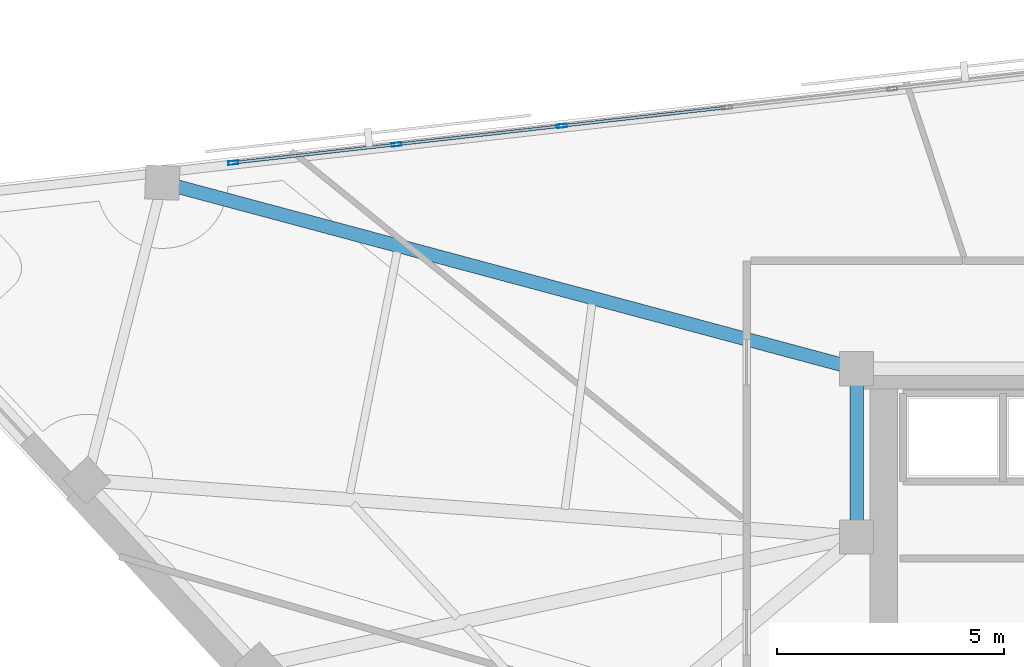
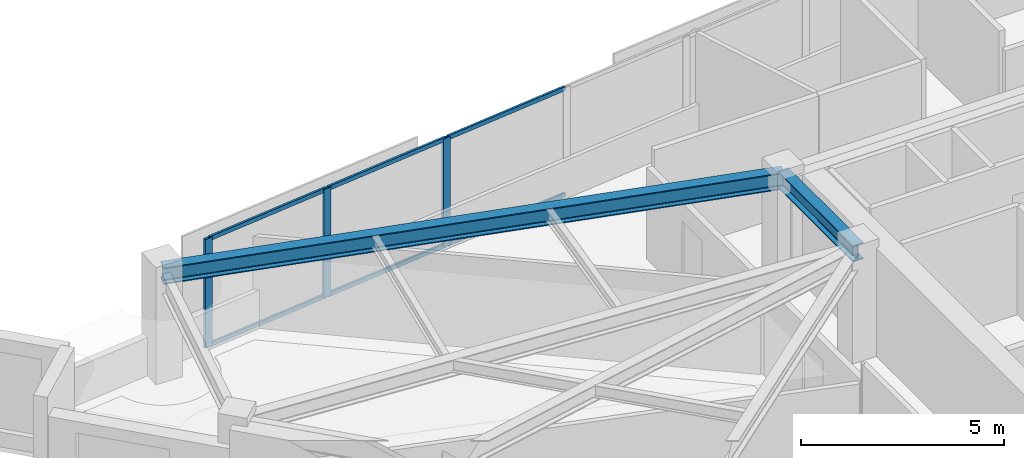
# One storey, part 2 of 13: 9 members, 2 beams, 1 element without a shape of its own.
"""IFC4 building model written with IfcOpenShell, lengths in metres."""

import ifcopenshell
import ifcopenshell.guid

model = None  # the IFC model being written
_history = None  # IfcOwnerHistory: only IFC2X3 demands one
_inside = {}  # id of a spatial element -> (the spatial element, [elements in it])
_under = {}  # id of a project, library or spatial element -> (it, [spatial elements below it])
_declared = {}  # id of a project -> (the project, [libraries it declares])
_typed = {}  # id of a type object -> (the type object, [elements of that type])
_made_of = {}  # id of a material, layer set ... -> (it, [elements and type objects made of it])


def new_model(schema):
    """Start an empty IFC model of exactly this schema.

    Asked for "IFC4X3", IfcOpenShell would pick the latest addendum, in which some entities
    have other attributes; the version numbers below select the first issue.
    IFC2X3 requires an IfcOwnerHistory on every rooted entity: one is made here for all.
    """
    global model, _history
    if schema == "IFC4X3":
        model = ifcopenshell.file(schema_version=(4, 3, 0, 0))
    else:
        model = ifcopenshell.file(schema=schema)
    _inside.clear()
    _under.clear()
    _declared.clear()
    _typed.clear()
    _made_of.clear()
    _history = None
    if model.schema == "IFC2X3":
        org = make("IfcOrganization", Name="unknown")
        user = make(
            "IfcPersonAndOrganization",
            ThePerson=make("IfcPerson", FamilyName="unknown"),
            TheOrganization=org,
        )
        app = make(
            "IfcApplication",
            ApplicationDeveloper=org,
            Version="unknown",
            ApplicationFullName="unknown",
            ApplicationIdentifier="unknown",
        )
        _history = make(
            "IfcOwnerHistory",
            OwningUser=user,
            OwningApplication=app,
            ChangeAction="ADDED",
            CreationDate=0,
        )
    return model


def make(cls, **values):
    """One entity of the class cls with the attributes given. An attribute that is None is left unset."""
    return model.create_entity(
        cls, **{name: value for name, value in values.items() if value is not None}
    )


def rooted(cls, **values):
    """An entity with a GlobalId (a new one), such as an element, a storey or a relation."""
    return make(cls, GlobalId=ifcopenshell.guid.new(), OwnerHistory=_history, **values)


def si_unit(unit_type, name, prefix=None):
    """IfcSIUnit, for example si_unit("LENGTHUNIT", "METRE", prefix="MILLI")."""
    return make("IfcSIUnit", UnitType=unit_type, Prefix=prefix, Name=name)


def assignment(units):
    """IfcUnitAssignment: the units of a project."""
    return None if units is None else make("IfcUnitAssignment", Units=units)


def point(xyz):
    """IfcCartesianPoint."""
    return None if xyz is None else make("IfcCartesianPoint", Coordinates=xyz)


def direction(xyz):
    """IfcDirection."""
    return None if xyz is None else make("IfcDirection", DirectionRatios=xyz)


def frame(location, z_axis=None, x_axis=None):
    """IfcAxis2Placement3D, a coordinate frame: its origin and axes. An axis left out is left unset."""
    return make(
        "IfcAxis2Placement3D",
        Location=point(location),
        Axis=direction(z_axis),
        RefDirection=direction(x_axis),
    )


def frame_2d(location, x_axis=None):
    """IfcAxis2Placement2D, a coordinate frame in the plane: its origin and x axis."""
    return make(
        "IfcAxis2Placement2D", Location=point(location), RefDirection=direction(x_axis)
    )


def origin():
    """The frame at (0, 0, 0) with its axes left unset."""
    return frame((0.0, 0.0, 0.0))


def origin_2d():
    """The frame at (0, 0) in the plane with its x axis left unset."""
    return frame_2d((0.0, 0.0))


def place(relative_to, where):
    """IfcLocalPlacement: puts the frame where relative to a parent placement (None: the world)."""
    return make(
        "IfcLocalPlacement", PlacementRelTo=relative_to, RelativePlacement=where
    )


def context(
    kind, dimensions, precision=None, world=None, true_north=None, identifier=None
):
    """IfcGeometricRepresentationContext, for example the 3D "Model" context."""
    return make(
        "IfcGeometricRepresentationContext",
        ContextIdentifier=identifier,
        ContextType=kind,
        CoordinateSpaceDimension=dimensions,
        Precision=precision,
        WorldCoordinateSystem=world,
        TrueNorth=true_north,
    )


def subcontext(parent, identifier, kind, view, scale=None):
    """IfcGeometricRepresentationSubContext, for example "Body" below "Model"."""
    return make(
        "IfcGeometricRepresentationSubContext",
        ContextIdentifier=identifier,
        ContextType=kind,
        ParentContext=parent,
        TargetScale=scale,
        TargetView=view,
    )


def project(units=None, contexts=None):
    """IfcProject with its units and contexts."""
    return rooted(
        "IfcProject",
        Name="project",
        RepresentationContexts=contexts,
        UnitsInContext=assignment(units),
    )


def spatial(cls, under=None, at=None, **own):
    """A site, building, storey or space (cls), placed at a placement, below another one or the project."""
    s = rooted(cls, ObjectPlacement=at, **own)
    if under is not None:
        _under.setdefault(under.id(), (under, []))[1].append(s)
    return s


def profile(cls, at=None, kind="AREA", **sizes):
    """A parametric profile (cls). Its sizes go by their IFC names, for example OverallWidth=200.0."""
    return make(cls, ProfileType=kind, Position=at, **sizes)


def hollow_rectangle(**sizes):
    """IfcRectangleHollowProfileDef."""
    return profile("IfcRectangleHollowProfileDef", **sizes)


def i_section(**sizes):
    """IfcIShapeProfileDef."""
    return profile("IfcIShapeProfileDef", **sizes)


def extrude(swept, where, along, depth):
    """IfcExtrudedAreaSolid: the profile swept, set in the frame where, extruded along a direction by depth."""
    return make(
        "IfcExtrudedAreaSolid",
        SweptArea=swept,
        Position=where,
        ExtrudedDirection=direction(along),
        Depth=depth,
    )


def shape(context_of_items, identifier, shape_type, items):
    """IfcShapeRepresentation: the items that make up one representation, for example the "Body"."""
    return make(
        "IfcShapeRepresentation",
        ContextOfItems=context_of_items,
        RepresentationIdentifier=identifier,
        RepresentationType=shape_type,
        Items=items,
    )


def material(Name=None, Category=None):
    """IfcMaterial."""
    return make("IfcMaterial", Name=Name, Category=Category)


def material_profile(
    of_material, cross_section, Name=None, Category=None, Priority=None
):
    """IfcMaterialProfile: a cross section and its material."""
    return make(
        "IfcMaterialProfile",
        Name=Name,
        Material=of_material,
        Profile=cross_section,
        Priority=Priority,
        Category=Category,
    )


def profile_set(profiles, Name=None, composite=None):
    """IfcMaterialProfileSet."""
    return make(
        "IfcMaterialProfileSet",
        Name=Name,
        MaterialProfiles=profiles,
        CompositeProfile=composite,
    )


def made_of(thing, what):
    """Note that an element or type object is made of a material, layer set ...; save() writes the relation."""
    if what is not None:
        _made_of.setdefault(what.id(), (what, []))[1].append(thing)
    return thing


def type_object(cls, material=None, **own):
    """A type object (cls), such as IfcWallType, which elements share."""
    return made_of(rooted(cls, **own), material)


def element(
    cls,
    number,
    at=None,
    inside=None,
    cuts=None,
    type_object=None,
    material=None,
    context=None,
    identifier="Body",
    shape_type=None,
    held_by="IfcProductDefinitionShape",
    body=None,
    shapes=None,
    **own,
):
    """One element of the class cls, such as IfcWall. Its Tag is "e" and its number.

    at: its placement. inside: the storey or other place that contains it. cuts: it is an
    opening in that element (IfcRelVoidsElement). A single representation is given by context,
    identifier, shape_type and body (its items); several are given by shapes. held_by: the class
    of the entity that holds the representations. save() writes the other relations.
    """
    e = rooted(cls, Tag="e%d" % number, ObjectPlacement=at, **own)
    if body is not None:
        shapes = [shape(context, identifier, shape_type, body)]
    if shapes is not None:
        e.Representation = make(held_by, Representations=shapes)
    if inside is not None:
        _inside.setdefault(inside.id(), (inside, []))[1].append(e)
    if cuts is not None:
        rooted(
            "IfcRelVoidsElement", RelatingBuildingElement=cuts, RelatedOpeningElement=e
        )
    if type_object is not None:
        _typed.setdefault(type_object.id(), (type_object, []))[1].append(e)
    return made_of(e, material)


def aggregate(whole, parts):
    """IfcRelAggregates: a whole, such as a stair, and the parts it consists of."""
    return rooted("IfcRelAggregates", RelatingObject=whole, RelatedObjects=parts)


def save(model, path):
    """Write the relations noted so far, then the file.

    IfcRelAggregates (storeys below a building ...), IfcRelContainedInSpatialStructure (elements
    in a storey), IfcRelDefinesByType, IfcRelAssociatesMaterial and IfcRelDeclares: one each for
    every whole, place, type object, material and project.
    """
    for whole, parts in _under.values():
        aggregate(whole, parts)
    for where, things in _inside.values():
        rooted(
            "IfcRelContainedInSpatialStructure",
            RelatedElements=things,
            RelatingStructure=where,
        )
    for kind, things in _typed.values():
        rooted("IfcRelDefinesByType", RelatedObjects=things, RelatingType=kind)
    for what, things in _made_of.values():
        rooted("IfcRelAssociatesMaterial", RelatedObjects=things, RelatingMaterial=what)
    for by, libraries in _declared.values():
        rooted("IfcRelDeclares", RelatingContext=by, RelatedDefinitions=libraries)
    model.write(path)


model = new_model("IFC4")

# Units and contexts
model_context = context("Model", 3, precision=1e-05, world=origin(), true_north=direction((0.0, 1.0)))
body_context = subcontext(model_context, "Body", "Model", "MODEL_VIEW")
ifc_project = project(units=[si_unit("LENGTHUNIT", "METRE"), si_unit("AREAUNIT", "SQUARE_METRE"), si_unit("VOLUMEUNIT", "CUBIC_METRE"), si_unit("PLANEANGLEUNIT", "RADIAN"), si_unit("MASSUNIT", "GRAM", prefix="KILO")], contexts=[model_context])

# Site, building, storey
site_placement = place(None, origin())
site = spatial("IfcSite", under=ifc_project, at=site_placement, CompositionType="ELEMENT")
building_placement = place(site_placement, origin())
building = spatial("IfcBuilding", under=site, at=building_placement, Name="Narakoshi Arena Tower", CompositionType="ELEMENT")
storey_placement = place(building_placement, frame((0.0, 0.0, 281.860107421875)))
storey = spatial("IfcBuildingStorey", under=building, at=storey_placement, Name="L77", CompositionType="ELEMENT", Elevation=281.860107421875)

# Beams
ifc_material_1 = material(Name="Structural steel S355J2", Category="steel")
ifc_material_profile_1 = material_profile(ifc_material_1, i_section(OverallWidth=0.300048828125, OverallDepth=0.5, WebThickness=0.014404296875, FlangeThickness=0.028076171875, FilletRadius=0.027099609375, at=origin_2d()), Name="HE500B")
ifc_profile_set_1 = profile_set([ifc_material_profile_1], Name="Structural steel S355J2")
beam_type = type_object("IfcBeamType", Name="BM-PRI-500", PredefinedType="BEAM", material=ifc_profile_set_1)
beam_1_placement = place(storey_placement, frame((72.0, 56.5, 3.010009765625), z_axis=(-0.965877018817, 0.259001128418, 0.0), x_axis=(-0.259001128418, -0.965877018817, 0.0)))
element("IfcBeam", 1, at=beam_1_placement, inside=storey, type_object=beam_type, Name="L77 Radial Primary Floor Girder 08", PredefinedType="BEAM", context=body_context, shape_type="SweptSolid", body=[
    extrude(i_section(OverallWidth=0.300048828125, OverallDepth=0.5, WebThickness=0.014404296875, FlangeThickness=0.028076171875, FilletRadius=0.027099609375, at=origin_2d()), origin(), (0.0, 0.0, 1.0), 15.822998046875),
])
beam_2_placement = place(storey_placement, frame((72.0, 52.800048828125, 3.010009765625), z_axis=(0.0, 1.0, 0.0), x_axis=(-1.0, 0.0, 0.0)))
element("IfcBeam", 2, at=beam_2_placement, inside=storey, type_object=beam_type, Name="L77 Core Perimeter Frame Beam CC4-CC5", PredefinedType="BEAM", context=body_context, shape_type="SweptSolid", body=[
    extrude(i_section(OverallWidth=0.300048828125, OverallDepth=0.5, WebThickness=0.014404296875, FlangeThickness=0.028076171875, FilletRadius=0.027099609375, at=origin_2d()), origin(), (0.0, 0.0, 1.0), 3.699951171875),
])

# Curtain wall, members
ifc_material_2 = material(Name="Anodised bronze aluminium 6063-T6", Category="aluminium")
curtain_wall_type = type_object("IfcCurtainWallType", Name="CW-HYP-HIGH", PredefinedType="NOTDEFINED", material=ifc_material_2)
curtain_wall_placement = place(storey_placement, origin())
curtain_wall = element("IfcCurtainWall", 3, at=curtain_wall_placement, inside=storey, type_object=curtain_wall_type, Name="L77 Folded Hypotenuse Curtain Wall 2-1", PredefinedType="NOTDEFINED")
ifc_material_profile_2 = material_profile(ifc_material_2, hollow_rectangle(XDim=0.080078125, YDim=0.219970703125, WallThickness=0.0048828125, OuterFilletRadius=0.006103515625, at=origin_2d()), Name="MUL220x80x5")
ifc_profile_set_2 = profile_set([ifc_material_profile_2], Name="Anodised bronze aluminium 6063-T6")
member_type_1 = type_object("IfcMemberType", Name="MEM-MUL-220", PredefinedType="MULLION", material=ifc_profile_set_2)
member_1_placement = place(storey_placement, frame((65.51123046875, 61.845458984375, 0.0), z_axis=(0.0, 0.0, 1.0), x_axis=(0.111396496086, -0.9937760415, 0.0)))
member_1 = element("IfcMember", 4, at=member_1_placement, type_object=member_type_1, Name="CW-03 mullion 5", PredefinedType="MULLION", context=body_context, shape_type="SweptSolid", body=[
    extrude(hollow_rectangle(XDim=0.080078125, YDim=0.219970703125, WallThickness=0.0048828125, OuterFilletRadius=0.006103515625, at=origin_2d()), origin(), (0.0, 0.0, 1.0), 3.260009765625),
])
member_2_placement = place(storey_placement, frame((61.873779296875, 61.437744140625, 0.0), z_axis=(0.0, 0.0, 1.0), x_axis=(0.111396496086, -0.9937760415, 0.0)))
member_2 = element("IfcMember", 5, at=member_2_placement, type_object=member_type_1, Name="CW-03 mullion 6", PredefinedType="MULLION", context=body_context, shape_type="SweptSolid", body=[
    extrude(hollow_rectangle(XDim=0.080078125, YDim=0.219970703125, WallThickness=0.0048828125, OuterFilletRadius=0.006103515625, at=origin_2d()), origin(), (0.0, 0.0, 1.0), 3.260009765625),
])
member_3_placement = place(storey_placement, frame((58.27587890625, 61.034423828125, 0.0), z_axis=(0.0, 0.0, 1.0), x_axis=(0.111396496086, -0.9937760415, 0.0)))
member_3 = element("IfcMember", 6, at=member_3_placement, type_object=member_type_1, Name="CW-03 mullion 7", PredefinedType="MULLION", context=body_context, shape_type="SweptSolid", body=[
    extrude(hollow_rectangle(XDim=0.080078125, YDim=0.219970703125, WallThickness=0.0048828125, OuterFilletRadius=0.006103515625, at=origin_2d()), origin(), (0.0, 0.0, 1.0), 3.260009765625),
])
ifc_material_profile_3 = material_profile(ifc_material_2, hollow_rectangle(XDim=0.06494140625, YDim=0.1298828125, WallThickness=0.00390625, OuterFilletRadius=0.0048828125, at=origin_2d()), Name="TRN130x65x4")
ifc_profile_set_3 = profile_set([ifc_material_profile_3], Name="Anodised bronze aluminium 6063-T6")
member_type_2 = type_object("IfcMemberType", Name="MEM-TRN-130", PredefinedType="USERDEFINED", material=ifc_profile_set_3)
member_4_placement = place(storey_placement, frame((69.109130859375, 62.248779296875, 0.032470703125), z_axis=(-0.99377347748, -0.111419367518, 0.0), x_axis=(0.111419367518, -0.99377347748, 0.0)))
member_4 = element("IfcMember", 7, at=member_4_placement, type_object=member_type_2, Name="CW-03 transom 4.1", ObjectType="TRANSOM", PredefinedType="USERDEFINED", context=body_context, shape_type="SweptSolid", body=[
    extrude(hollow_rectangle(XDim=0.06494140625, YDim=0.1298828125, WallThickness=0.00390625, OuterFilletRadius=0.0048828125, at=origin_2d()), origin(), (0.0, 0.0, 1.0), 3.580322265625),
])
member_5_placement = place(storey_placement, frame((69.109130859375, 62.248779296875, 3.227294921875), z_axis=(-0.99377347748, -0.111419367518, 0.0), x_axis=(0.111419367518, -0.99377347748, 0.0)))
member_5 = element("IfcMember", 8, at=member_5_placement, type_object=member_type_2, Name="CW-03 transom 4.2", ObjectType="TRANSOM", PredefinedType="USERDEFINED", context=body_context, shape_type="SweptSolid", body=[
    extrude(hollow_rectangle(XDim=0.06494140625, YDim=0.1298828125, WallThickness=0.00390625, OuterFilletRadius=0.0048828125, at=origin_2d()), origin(), (0.0, 0.0, 1.0), 3.580322265625),
])
member_6_placement = place(storey_placement, frame((65.471435546875, 61.841064453125, 0.032470703125), z_axis=(-0.99377347748, -0.111419367518, 0.0), x_axis=(0.111419367518, -0.99377347748, 0.0)))
member_6 = element("IfcMember", 9, at=member_6_placement, type_object=member_type_2, Name="CW-03 transom 5.1", ObjectType="TRANSOM", PredefinedType="USERDEFINED", context=body_context, shape_type="SweptSolid", body=[
    extrude(hollow_rectangle(XDim=0.06494140625, YDim=0.1298828125, WallThickness=0.00390625, OuterFilletRadius=0.0048828125, at=origin_2d()), origin(), (0.0, 0.0, 1.0), 3.580322265625),
])
member_7_placement = place(storey_placement, frame((65.471435546875, 61.841064453125, 3.227294921875), z_axis=(-0.99377347748, -0.111419367518, 0.0), x_axis=(0.111419367518, -0.99377347748, 0.0)))
member_7 = element("IfcMember", 10, at=member_7_placement, type_object=member_type_2, Name="CW-03 transom 5.2", ObjectType="TRANSOM", PredefinedType="USERDEFINED", context=body_context, shape_type="SweptSolid", body=[
    extrude(hollow_rectangle(XDim=0.06494140625, YDim=0.1298828125, WallThickness=0.00390625, OuterFilletRadius=0.0048828125, at=origin_2d()), origin(), (0.0, 0.0, 1.0), 3.580322265625),
])
member_8_placement = place(storey_placement, frame((61.833984375, 61.433349609375, 0.032470703125), z_axis=(-0.9937713764, -0.11143810591, 0.0), x_axis=(0.11143810591, -0.9937713764, 0.0)))
member_8 = element("IfcMember", 11, at=member_8_placement, type_object=member_type_2, Name="CW-03 transom 6.1", ObjectType="TRANSOM", PredefinedType="USERDEFINED", context=body_context, shape_type="SweptSolid", body=[
    extrude(hollow_rectangle(XDim=0.06494140625, YDim=0.1298828125, WallThickness=0.00390625, OuterFilletRadius=0.0048828125, at=origin_2d()), origin(), (0.0, 0.0, 1.0), 3.540283203125),
])
member_9_placement = place(storey_placement, frame((61.833984375, 61.433349609375, 3.227294921875), z_axis=(-0.9937713764, -0.11143810591, 0.0), x_axis=(0.11143810591, -0.9937713764, 0.0)))
member_9 = element("IfcMember", 12, at=member_9_placement, type_object=member_type_2, Name="CW-03 transom 6.2", ObjectType="TRANSOM", PredefinedType="USERDEFINED", context=body_context, shape_type="SweptSolid", body=[
    extrude(hollow_rectangle(XDim=0.06494140625, YDim=0.1298828125, WallThickness=0.00390625, OuterFilletRadius=0.0048828125, at=origin_2d()), origin(), (0.0, 0.0, 1.0), 3.540283203125),
])
aggregate(curtain_wall, [member_1, member_2, member_3, member_4, member_5, member_6, member_7, member_8, member_9])

save(model, "model.ifc")
